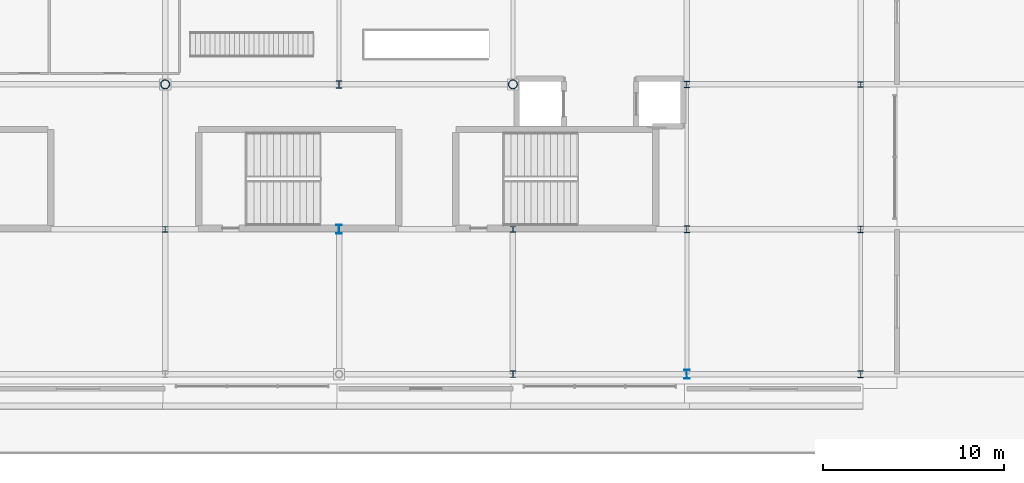
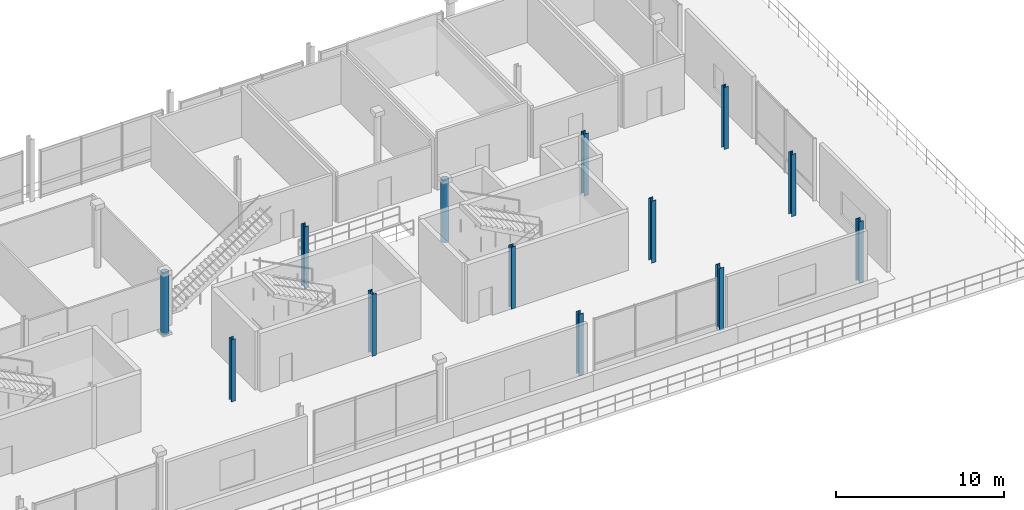
# One storey, part 5 of 36: 13 columns.
"""IFC4 building model written with IfcOpenShell, lengths in metres."""

from ifc_helpers import new_model, si_unit, direction, frame, origin, origin_2d, place, context, subcontext, project, spatial, hollow_circle, i_section, extrude, material, material_profile, profile_set, type_object, element, save


model = new_model("IFC4")

# Units and contexts
model_context = context("Model", 3, precision=1e-05, world=origin(), true_north=direction((0.0, 1.0)))
body_context = subcontext(model_context, "Body", "Model", "MODEL_VIEW")
ifc_project = project(units=[si_unit("LENGTHUNIT", "METRE"), si_unit("AREAUNIT", "SQUARE_METRE"), si_unit("VOLUMEUNIT", "CUBIC_METRE"), si_unit("PLANEANGLEUNIT", "RADIAN"), si_unit("MASSUNIT", "GRAM", prefix="KILO")], contexts=[model_context])

# Site, building, storey
site_placement = place(None, origin())
site = spatial("IfcSite", under=ifc_project, at=site_placement, CompositionType="ELEMENT")
building_placement = place(site_placement, origin())
building = spatial("IfcBuilding", under=site, at=building_placement, Name="Danafjord Basin Convention Centre", CompositionType="ELEMENT")
storey_placement = place(building_placement, frame((0.0, 0.0, 20.39990234375)))
storey = spatial("IfcBuildingStorey", under=building, at=storey_placement, Name="L04", CompositionType="ELEMENT", Elevation=20.39990234375)

# Columns
ifc_material = material(Name="Steel S355", Category="steel")
ifc_material_profile_1 = material_profile(ifc_material, hollow_circle(Radius=0.25390625, WallThickness=0.02490234375, at=origin_2d()), Name="CHS 508.0x25.0")
ifc_profile_set_1 = profile_set([ifc_material_profile_1], Name="Steel S355")
column_type_1 = type_object("IfcColumnType", Name="COL-C-CHS508", PredefinedType="COLUMN", material=ifc_profile_set_1)
for number, where, z_axis, x_axis, name in (
    (1, (67.199951171875, 24.0, 0.0), (0.0, 0.0, 1.0), (1.0, 0.0, 0.0), "L04 column C-CHS508 at (67.2, 24.0)"),
    (2, (86.39990234375, 24.0, 0.0), (0.0, 0.0, 1.0), (1.0, 0.0, 0.0), "L04 column C-CHS508 at (86.4, 24.0)"),
):
    element("IfcColumn", number, at=place(storey_placement, frame(where, z_axis=z_axis, x_axis=x_axis)), inside=storey, type_object=column_type_1, Name=name, PredefinedType="COLUMN", context=body_context, shape_type="SweptSolid", body=[
        extrude(hollow_circle(Radius=0.25390625, WallThickness=0.02490234375, at=origin_2d()), origin(), (0.0, 0.0, 1.0), 4.5),
    ])
ifc_material_profile_2 = material_profile(ifc_material, i_section(OverallWidth=0.300048828125, OverallDepth=0.300048828125, WebThickness=0.010986328125, FlangeThickness=0.01904296875, FilletRadius=0.027099609375, at=origin_2d()), Name="HEB 300")
ifc_profile_set_2 = profile_set([ifc_material_profile_2], Name="Steel S355")
column_type_2 = type_object("IfcColumnType", Name="COL-C-HEB300", PredefinedType="COLUMN", material=ifc_profile_set_2)
for number, where, z_axis, x_axis, name in (
    (3, (67.199951171875, 16.0, 0.0), (0.0, 0.0, 1.0), (1.0, 0.0, 0.0), "L04 column C-HEB300 at (67.2, 16.0)"),
    (4, (86.39990234375, 16.0, 0.0), (0.0, 0.0, 1.0), (1.0, 0.0, 0.0), "L04 column C-HEB300 at (86.4, 16.0)"),
    (5, (105.60009765625, 24.0, 0.0), (0.0, 0.0, 1.0), (1.0, 0.0, 0.0), "L04 column C-HEB300 at (105.6, 24.0)"),
):
    element("IfcColumn", number, at=place(storey_placement, frame(where, z_axis=z_axis, x_axis=x_axis)), inside=storey, type_object=column_type_2, Name=name, PredefinedType="COLUMN", context=body_context, shape_type="SweptSolid", body=[
        extrude(i_section(OverallWidth=0.300048828125, OverallDepth=0.300048828125, WebThickness=0.010986328125, FlangeThickness=0.01904296875, FilletRadius=0.027099609375, at=origin_2d()), origin(), (0.0, 0.0, 1.0), 4.5),
    ])
ifc_material_profile_3 = material_profile(ifc_material, i_section(OverallWidth=0.300048828125, OverallDepth=0.360107421875, WebThickness=0.012451171875, FlangeThickness=0.0224609375, FilletRadius=0.027099609375, at=origin_2d()), Name="HEB 360")
ifc_profile_set_3 = profile_set([ifc_material_profile_3], Name="Steel S355")
column_type_3 = type_object("IfcColumnType", Name="COL-C-HEB360", PredefinedType="COLUMN", material=ifc_profile_set_3)
for number, where, z_axis, x_axis, name in (
    (6, (86.39990234375, 8.0, 0.0), (0.0, 0.0, 1.0), (1.0, 0.0, 0.0), "L04 column C-HEB360 at (86.4, 8.0)"),
    (7, (96.0, 24.0, 0.0), (0.0, 0.0, 1.0), (1.0, 0.0, 0.0), "L04 column C-HEB360 at (96.0, 24.0)"),
    (8, (105.60009765625, 16.0, 0.0), (0.0, 0.0, 1.0), (1.0, 0.0, 0.0), "L04 column C-HEB360 at (105.6, 16.0)"),
):
    element("IfcColumn", number, at=place(storey_placement, frame(where, z_axis=z_axis, x_axis=x_axis)), inside=storey, type_object=column_type_3, Name=name, PredefinedType="COLUMN", context=body_context, shape_type="SweptSolid", body=[
        extrude(i_section(OverallWidth=0.300048828125, OverallDepth=0.360107421875, WebThickness=0.012451171875, FlangeThickness=0.0224609375, FilletRadius=0.027099609375, at=origin_2d()), origin(), (0.0, 0.0, 1.0), 4.5),
    ])
ifc_material_profile_4 = material_profile(ifc_material, i_section(OverallWidth=0.300048828125, OverallDepth=0.39990234375, WebThickness=0.013427734375, FlangeThickness=0.02392578125, FilletRadius=0.027099609375, at=origin_2d()), Name="HEB 400")
ifc_profile_set_4 = profile_set([ifc_material_profile_4], Name="Steel S355")
column_type_4 = type_object("IfcColumnType", Name="COL-C-HEB400", PredefinedType="COLUMN", material=ifc_profile_set_4)
for number, where, z_axis, x_axis, name in (
    (9, (76.800048828125, 24.0, 0.0), (0.0, 0.0, 1.0), (1.0, 0.0, 0.0), "L04 column C-HEB400 at (76.8, 24.0)"),
    (10, (96.0, 16.0, 0.0), (0.0, 0.0, 1.0), (1.0, 0.0, 0.0), "L04 column C-HEB400 at (96.0, 16.0)"),
    (11, (105.60009765625, 8.0, 0.0), (0.0, 0.0, 1.0), (1.0, 0.0, 0.0), "L04 column C-HEB400 at (105.6, 8.0)"),
):
    element("IfcColumn", number, at=place(storey_placement, frame(where, z_axis=z_axis, x_axis=x_axis)), inside=storey, type_object=column_type_4, Name=name, PredefinedType="COLUMN", context=body_context, shape_type="SweptSolid", body=[
        extrude(i_section(OverallWidth=0.300048828125, OverallDepth=0.39990234375, WebThickness=0.013427734375, FlangeThickness=0.02392578125, FilletRadius=0.027099609375, at=origin_2d()), origin(), (0.0, 0.0, 1.0), 4.5),
    ])
ifc_material_profile_5 = material_profile(ifc_material, i_section(OverallWidth=0.300048828125, OverallDepth=0.5, WebThickness=0.014404296875, FlangeThickness=0.028076171875, FilletRadius=0.027099609375, at=origin_2d()), Name="HEB 500")
ifc_profile_set_5 = profile_set([ifc_material_profile_5], Name="Steel S355")
column_type_5 = type_object("IfcColumnType", Name="COL-C-HEB500", PredefinedType="COLUMN", material=ifc_profile_set_5)
for number, where, z_axis, x_axis, name in (
    (12, (76.800048828125, 16.0, 0.0), (0.0, 0.0, 1.0), (1.0, 0.0, 0.0), "L04 column C-HEB500 at (76.8, 16.0)"),
    (13, (96.0, 8.0, 0.0), (0.0, 0.0, 1.0), (1.0, 0.0, 0.0), "L04 column C-HEB500 at (96.0, 8.0)"),
):
    element("IfcColumn", number, at=place(storey_placement, frame(where, z_axis=z_axis, x_axis=x_axis)), inside=storey, type_object=column_type_5, Name=name, PredefinedType="COLUMN", context=body_context, shape_type="SweptSolid", body=[
        extrude(i_section(OverallWidth=0.300048828125, OverallDepth=0.5, WebThickness=0.014404296875, FlangeThickness=0.028076171875, FilletRadius=0.027099609375, at=origin_2d()), origin(), (0.0, 0.0, 1.0), 4.5),
    ])

save(model, "model.ifc")
